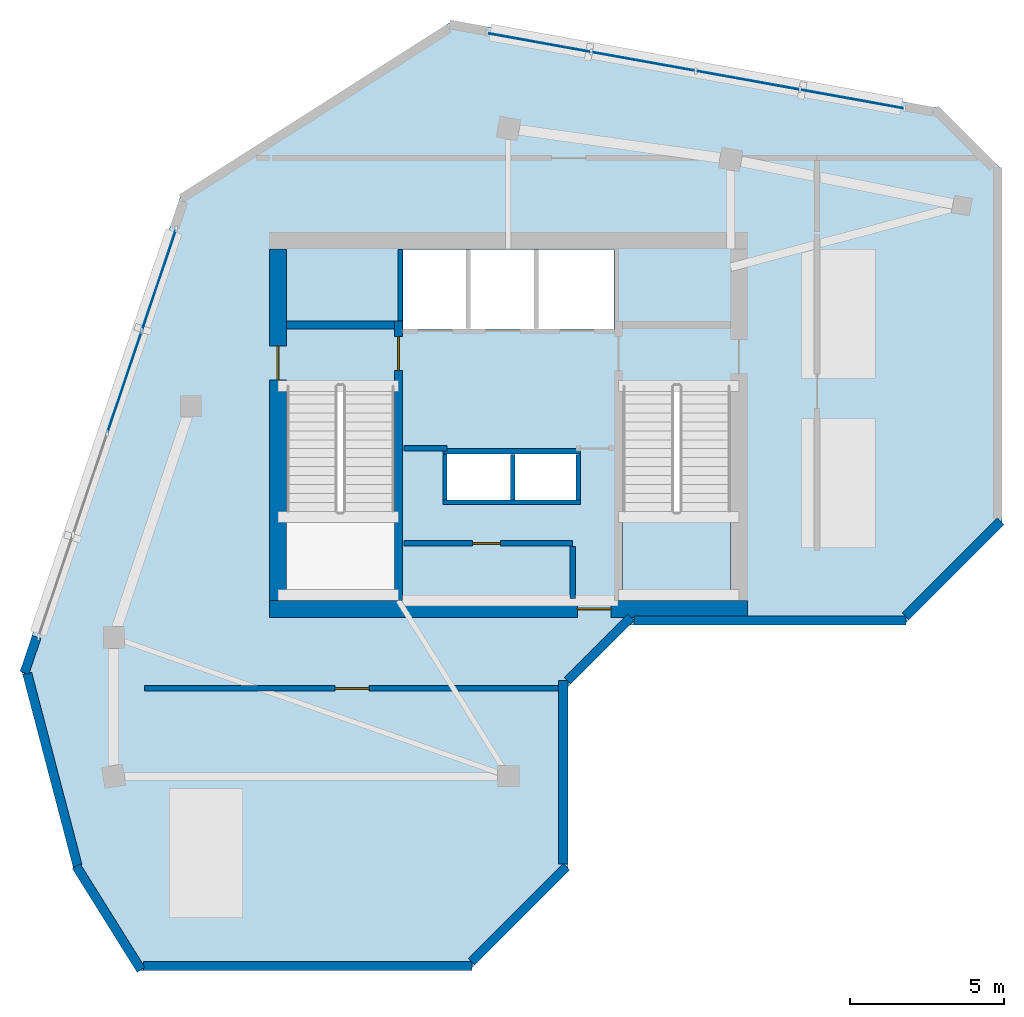
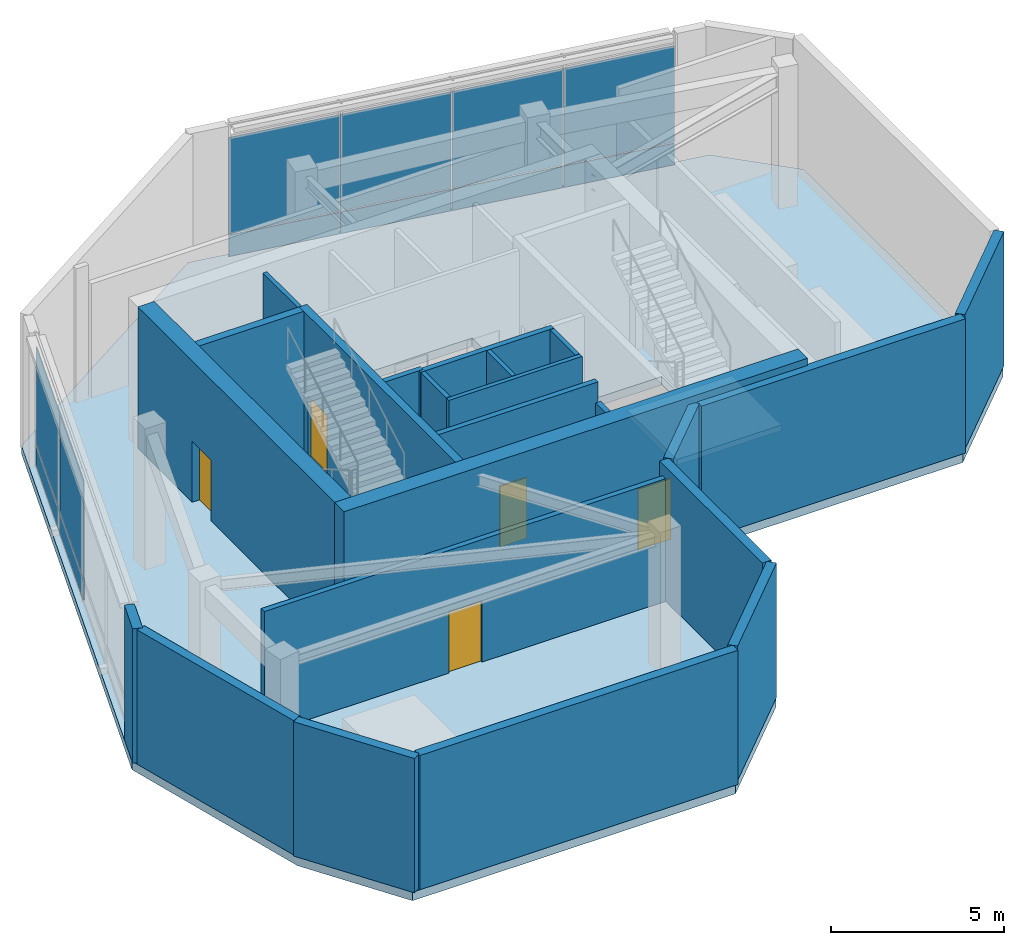
# One storey, part 2 of 4: 23 walls, 12 plates, 5 doors, 2 slabs, 5 openings, 3 elements without a shape of their own.
"""IFC4 building model written with IfcOpenShell, lengths in metres."""

from ifc_helpers import new_model, si_unit, direction, frame, frame_2d, origin, place, context, subcontext, project, spatial, polyline, rectangle, outline, extrude, source, transform, mapped, material, layer, layer_set, type_object, element, fill, aggregate, save


model = new_model("IFC4")

# Units and contexts
model_context = context("Model", 3, precision=1e-05, world=origin(), true_north=direction((0.0, 1.0)))
body_context = subcontext(model_context, "Body", "Model", "MODEL_VIEW")
ifc_project = project(units=[si_unit("LENGTHUNIT", "METRE"), si_unit("AREAUNIT", "SQUARE_METRE"), si_unit("VOLUMEUNIT", "CUBIC_METRE"), si_unit("PLANEANGLEUNIT", "RADIAN"), si_unit("MASSUNIT", "GRAM", prefix="KILO")], contexts=[model_context])

# Site, building, storey
site_placement = place(None, origin())
site = spatial("IfcSite", under=ifc_project, at=site_placement, CompositionType="ELEMENT")
building_placement = place(site_placement, origin())
building = spatial("IfcBuilding", under=site, at=building_placement, Name="Calvemar Wedge Station Tower", CompositionType="ELEMENT")
storey_placement = place(building_placement, frame((0.0, 0.0, 304.5)))
storey = spatial("IfcBuildingStorey", under=building, at=storey_placement, Name="L78", CompositionType="ELEMENT", Elevation=304.5)

# Curtain wall, plates
ifc_material_1 = material(Name="Anodised aluminium 6063-T6", Category="aluminium")
curtain_wall_type = type_object("IfcCurtainWallType", Name="CW4", PredefinedType="NOTDEFINED", material=ifc_material_1)
curtain_wall_1_placement = place(storey_placement, origin())
curtain_wall_1 = element("IfcCurtainWall", 1, at=curtain_wall_1_placement, inside=storey, type_object=curtain_wall_type, Name="Storey L78 CW4 Recessed Unitised Curtain Wall 10", PredefinedType="NOTDEFINED")
ifc_material_2 = material(Name="Low-E laminated insulated glass", Category="glass")
ifc_layer_1 = layer(ifc_material_2, 0.028076171875)
ifc_layer_set_1 = layer_set([ifc_layer_1], Name="Low-E laminated insulated glass")
plate_type_1 = type_object("IfcPlateType", Name="CW4-GLZ", PredefinedType="CURTAIN_PANEL", material=ifc_layer_set_1)
plate_1_placement = place(storey_placement, frame((36.6162109375, 50.152099609375, 0.8701171875), z_axis=(0.0, 0.0, 1.0), x_axis=(-0.984145507683, 0.177362960359, 0.0)))
plate_1 = element("IfcPlate", 2, at=plate_1_placement, type_object=plate_type_1, Name="CW4 vision glass panel 1", PredefinedType="CURTAIN_PANEL", context=body_context, shape_type="SweptSolid", body=[
    extrude(rectangle(XDim=3.4013671875, YDim=0.028076171875, at=frame_2d((1.70068359375, 0.0))), origin(), (0.0, 0.0, 1.0), 3.409912109375),
])
plate_2_placement = place(storey_placement, frame((33.2333984375, 50.76171875, 0.8701171875), z_axis=(0.0, 0.0, 1.0), x_axis=(-0.984143249485, 0.177375490115, 0.0)))
plate_2 = element("IfcPlate", 3, at=plate_2_placement, type_object=plate_type_1, Name="CW4 vision glass panel 2", PredefinedType="CURTAIN_PANEL", context=body_context, shape_type="SweptSolid", body=[
    extrude(rectangle(XDim=3.401123046875, YDim=0.028076171875, at=frame_2d((1.70068359375, 0.0))), origin(), (0.0, 0.0, 1.0), 3.409912109375),
])
plate_3_placement = place(storey_placement, frame((29.850830078125, 51.37158203125, 0.8701171875), z_axis=(0.0, 0.0, 1.0), x_axis=(-0.984145507683, 0.177362960359, 0.0)))
plate_3 = element("IfcPlate", 4, at=plate_3_placement, type_object=plate_type_1, Name="CW4 vision glass panel 3", PredefinedType="CURTAIN_PANEL", context=body_context, shape_type="SweptSolid", body=[
    extrude(rectangle(XDim=3.4013671875, YDim=0.028076171875, at=frame_2d((1.70068359375, 0.0))), origin(), (0.0, 0.0, 1.0), 3.409912109375),
])
plate_4_placement = place(storey_placement, frame((26.468017578125, 51.981201171875, 0.8701171875), z_axis=(0.0, 0.0, 1.0), x_axis=(-0.984132976502, 0.177432478879, 0.0)))
plate_4 = element("IfcPlate", 5, at=plate_4_placement, type_object=plate_type_1, Name="CW4 vision glass panel 4", PredefinedType="CURTAIN_PANEL", context=body_context, shape_type="SweptSolid", body=[
    extrude(rectangle(XDim=3.4013671875, YDim=0.028076171875, at=frame_2d((1.70068359375, 0.0))), origin(), (0.0, 0.0, 1.0), 3.409912109375),
])

curtain_wall_2_placement = place(storey_placement, origin())
curtain_wall_2 = element("IfcCurtainWall", 6, at=curtain_wall_2_placement, inside=storey, type_object=curtain_wall_type, Name="Storey L78 CW4 Recessed Unitised Curtain Wall 12", PredefinedType="NOTDEFINED")
plate_5_placement = place(storey_placement, frame((13.0244140625, 46.223388671875, 0.8701171875), z_axis=(0.0, 0.0, 1.0), x_axis=(-0.319937325338, -0.947438709287, 0.0)))
plate_5 = element("IfcPlate", 7, at=plate_5_placement, type_object=plate_type_1, Name="CW4 vision glass panel 1", PredefinedType="CURTAIN_PANEL", context=body_context, shape_type="SweptSolid", body=[
    extrude(rectangle(XDim=3.452880859375, YDim=0.028076171875, at=frame_2d((1.7265625, 0.0))), origin(), (0.0, 0.0, 1.0), 3.409912109375),
])
plate_6_placement = place(storey_placement, frame((11.908203125, 42.917724609375, 0.8701171875), z_axis=(0.0, 0.0, 1.0), x_axis=(-0.319915894708, -0.947445945853, 0.0)))
plate_6 = element("IfcPlate", 8, at=plate_6_placement, type_object=plate_type_1, Name="CW4 vision glass panel 2", PredefinedType="CURTAIN_PANEL", context=body_context, shape_type="SweptSolid", body=[
    extrude(rectangle(XDim=3.453125, YDim=0.028076171875, at=frame_2d((1.7265625, 0.0))), origin(), (0.0, 0.0, 1.0), 3.409912109375),
])

# Plate
ifc_material_3 = material(Name="Oxidized bronze aluminium spandrel panel 5005-H24", Category="aluminium")
ifc_layer_2 = layer(ifc_material_3, 0.0400390625)
ifc_layer_set_2 = layer_set([ifc_layer_2], Name="Oxidized bronze aluminium spandrel panel 5005-H24")
plate_type_2 = type_object("IfcPlateType", Name="CW4-SPD", PredefinedType="SHEET", material=ifc_layer_set_2)
plate_7_placement = place(storey_placement, frame((36.6162109375, 50.152099609375, 0.080078125), z_axis=(0.0, 0.0, 1.0), x_axis=(-0.984145507683, 0.177362960359, 0.0)))
plate_7 = element("IfcPlate", 9, at=plate_7_placement, type_object=plate_type_2, Name="CW4 bronze spandrel panel 1", PredefinedType="SHEET", context=body_context, shape_type="SweptSolid", body=[
    extrude(rectangle(XDim=3.4013671875, YDim=0.0400390625, at=frame_2d((1.70068359375, 0.0))), origin(), (0.0, 0.0, 1.0), 0.75),
])

plate_8_placement = place(storey_placement, frame((33.2333984375, 50.76171875, 0.080078125), z_axis=(0.0, 0.0, 1.0), x_axis=(-0.984143249485, 0.177375490115, 0.0)))
plate_8 = element("IfcPlate", 10, at=plate_8_placement, type_object=plate_type_2, Name="CW4 bronze spandrel panel 2", PredefinedType="SHEET", context=body_context, shape_type="SweptSolid", body=[
    extrude(rectangle(XDim=3.401123046875, YDim=0.0400390625, at=frame_2d((1.70068359375, 0.0))), origin(), (0.0, 0.0, 1.0), 0.75),
])

plate_9_placement = place(storey_placement, frame((29.850830078125, 51.37158203125, 0.080078125), z_axis=(0.0, 0.0, 1.0), x_axis=(-0.984145507683, 0.177362960359, 0.0)))
plate_9 = element("IfcPlate", 11, at=plate_9_placement, type_object=plate_type_2, Name="CW4 bronze spandrel panel 3", PredefinedType="SHEET", context=body_context, shape_type="SweptSolid", body=[
    extrude(rectangle(XDim=3.4013671875, YDim=0.0400390625, at=frame_2d((1.70068359375, 0.0))), origin(), (0.0, 0.0, 1.0), 0.75),
])

plate_10_placement = place(storey_placement, frame((26.468017578125, 51.981201171875, 0.080078125), z_axis=(0.0, 0.0, 1.0), x_axis=(-0.984132976502, 0.177432478879, 0.0)))
plate_10 = element("IfcPlate", 12, at=plate_10_placement, type_object=plate_type_2, Name="CW4 bronze spandrel panel 4", PredefinedType="SHEET", context=body_context, shape_type="SweptSolid", body=[
    extrude(rectangle(XDim=3.4013671875, YDim=0.0400390625, at=frame_2d((1.70068359375, 0.0))), origin(), (0.0, 0.0, 1.0), 0.75),
])

aggregate(curtain_wall_1, [plate_7, plate_1, plate_8, plate_2, plate_9, plate_3, plate_10, plate_4])

plate_11_placement = place(storey_placement, frame((13.0244140625, 46.223388671875, 0.080078125), z_axis=(0.0, 0.0, 1.0), x_axis=(-0.319937325338, -0.947438709287, 0.0)))
plate_11 = element("IfcPlate", 13, at=plate_11_placement, type_object=plate_type_2, Name="CW4 bronze spandrel panel 1", PredefinedType="SHEET", context=body_context, shape_type="SweptSolid", body=[
    extrude(rectangle(XDim=3.452880859375, YDim=0.0400390625, at=frame_2d((1.7265625, 0.0))), origin(), (0.0, 0.0, 1.0), 0.75),
])

plate_12_placement = place(storey_placement, frame((11.908203125, 42.917724609375, 0.080078125), z_axis=(0.0, 0.0, 1.0), x_axis=(-0.319915894708, -0.947445945853, 0.0)))
plate_12 = element("IfcPlate", 14, at=plate_12_placement, type_object=plate_type_2, Name="CW4 bronze spandrel panel 2", PredefinedType="SHEET", context=body_context, shape_type="SweptSolid", body=[
    extrude(rectangle(XDim=3.453125, YDim=0.0400390625, at=frame_2d((1.7265625, 0.0))), origin(), (0.0, 0.0, 1.0), 0.75),
])

aggregate(curtain_wall_2, [plate_11, plate_5, plate_12, plate_6])

# Slab
ifc_material_4 = material(Name="Concrete C50", Category="concrete")
ifc_layer_3 = layer(ifc_material_4, 0.300048828125)
ifc_layer_set_3 = layer_set([ifc_layer_3], Name="Concrete C50")
slab_type_1 = type_object("IfcSlabType", Name="SL-REF-300", PredefinedType="FLOOR", material=ifc_layer_set_3)
slab_1_placement = place(storey_placement, frame((0.0, 0.0, -0.300048828125)))
element("IfcSlab", 15, at=slab_1_placement, inside=storey, type_object=slab_type_1, Name="Storey L78 Structural Floor Slab", PredefinedType="FLOOR", context=body_context, shape_type="SweptSolid", body=[
    extrude(outline(polyline([(8.0, 32.0), (9.72802734375, 25.39990234375), (11.72802734375, 22.199951171875), (22.528076171875, 22.199951171875), (25.72802734375, 25.39990234375), (25.72802734375, 31.39990234375), (27.72802734375, 33.39990234375), (36.60009765625, 33.39990234375), (39.800048828125, 36.60009765625), (39.800048828125, 48.152099609375), (37.800048828125, 50.152099609375), (22.0, 53.0), (13.199951171875, 47.39990234375), (8.0, 32.0)]), holes=[polyline([(20.10009765625, 34.199951171875), (20.10009765625, 41.14990234375), (16.60009765625, 41.14990234375), (16.60009765625, 34.199951171875), (20.10009765625, 34.199951171875)]), polyline([(31.0, 34.199951171875), (31.0, 41.14990234375), (27.5, 41.14990234375), (27.5, 34.199951171875), (31.0, 34.199951171875)]), polyline([(23.929931640625, 38.949951171875), (21.7900390625, 38.949951171875), (21.7900390625, 37.449951171875), (23.929931640625, 37.449951171875), (23.93994140625, 37.449951171875), (26.080078125, 37.449951171875), (26.080078125, 38.949951171875), (23.93994140625, 38.949951171875), (23.929931640625, 38.949951171875)]), polyline([(27.219970703125, 43.0), (27.219970703125, 45.580078125), (20.3798828125, 45.580078125), (20.3798828125, 43.0), (27.219970703125, 43.0)])]), origin(), (0.0, 0.0, 1.0), 0.300048828125),
])

# Stair, slab
ifc_material_5 = material(Name="Concrete C45", Category="concrete")
stair_type = type_object("IfcStairType", Name="ST-TYPE-5000", PredefinedType="HALF_TURN_STAIR", material=ifc_material_5)
stair_placement = place(storey_placement, origin())
stair = element("IfcStair", 16, at=stair_placement, inside=storey, type_object=stair_type, Name="L78 Pressurized Core Exit Stair ST-C2", PredefinedType="HALF_TURN_STAIR")
ifc_layer_4 = layer(ifc_material_5, 0.199951171875)
ifc_layer_set_4 = layer_set([ifc_layer_4], Name="Concrete C45")
slab_type_2 = type_object("IfcSlabType", Name="SL-STAIR-LND-200", PredefinedType="LANDING", material=ifc_layer_set_4)
slab_2_placement = place(storey_placement, frame((0.0, 0.0, 2.300048828125)))
slab_2 = element("IfcSlab", 17, at=slab_2_placement, type_object=slab_type_2, Name="ST-C2 landing 1", PredefinedType="LANDING", context=body_context, shape_type="SweptSolid", body=[
    extrude(outline(polyline([(27.5, 37.090087890625), (27.5, 34.199951171875), (31.0, 34.199951171875), (31.0, 37.090087890625), (27.5, 37.090087890625)])), origin(), (0.0, 0.0, 1.0), 0.199951171875),
])
aggregate(stair, [slab_2])

# Wall, opening, door
ifc_layer_5 = layer(ifc_material_4, 0.260009765625)
ifc_layer_set_5 = layer_set([ifc_layer_5], Name="Concrete C50")
wall_type_1 = type_object("IfcWallType", Name="SW-CORE-260", PredefinedType="SHEAR", material=ifc_layer_set_5)
wall_1_placement = place(storey_placement, frame((20.22998046875, 34.199951171875, 0.0), z_axis=(0.0, 0.0, 1.0), x_axis=(0.0, 1.0, 0.0)))
wall_1 = element("IfcWall", 18, at=wall_1_placement, inside=storey, type_object=wall_type_1, Name="Storey L78 Core Shear Wall SPINE-W", PredefinedType="SHEAR", context=body_context, shape_type="SweptSolid", body=[
    extrude(rectangle(XDim=9.06005859375, YDim=0.260009765625, at=frame_2d((4.530029296875, 0.0))), origin(), (0.0, 0.0, 1.0), 5.0),
])
shared_shape_1 = source(origin(), body_context, "Body", "SweptSolid", [
    extrude(rectangle(XDim=1.10009765625, YDim=2.14990234375, at=frame_2d((0.550048828125, 1.074951171875))), frame((0.0, 0.14013671875, 0.0), z_axis=(0.0, -1.0, 0.0), x_axis=(1.0, 0.0, 0.0)), (0.0, 0.0, 1.0), 0.280029296875),
])
opening_1_placement = place(wall_1_placement, frame((7.449951171875, 0.0, 0.0)))
opening_1 = element("IfcOpeningElement", 19, at=opening_1_placement, cuts=wall_1, Name="Opening FD-90", PredefinedType="OPENING", context=body_context, shape_type="MappedRepresentation", body=[
    mapped(shared_shape_1, transform((0.0, 0.0, 0.0), scale=1.0)),
])
ifc_material_6 = material(Name="Galvanized fire-rated steel door leaf P-90", Category="steel")
door_type_1 = type_object("IfcDoorType", Name="DR-FD90-1100", OperationType="NOTDEFINED", PredefinedType="DOOR", material=ifc_material_6)
shared_shape_2 = source(origin(), body_context, "Body", "SweptSolid", [
    extrude(rectangle(XDim=1.10009765625, YDim=2.14990234375, at=frame_2d((0.550048828125, 1.074951171875))), frame((0.0, 0.02490234375, 0.0), z_axis=(0.0, -1.0, 0.0), x_axis=(1.0, 0.0, 0.0)), (0.0, 0.0, 1.0), 0.050048828125),
])
door_1_placement = place(opening_1_placement, origin())
door_1 = element("IfcDoor", 20, at=door_1_placement, inside=storey, type_object=door_type_1, Name="L78 FF Lobby to Stair ST-C1 Door", OperationType="SINGLE_SWING_LEFT", OverallHeight=2.14990234375, OverallWidth=1.10009765625, PredefinedType="DOOR", context=body_context, shape_type="MappedRepresentation", body=[
    mapped(shared_shape_2, transform((0.0, 0.0, 0.0), scale=1.0)),
])
fill(opening_1, door_1)

# Wall
wall_2_placement = place(storey_placement, frame((16.60009765625, 43.1298828125, 0.0), z_axis=(0.0, 0.0, 1.0), x_axis=(1.0, 0.0, 0.0)))
element("IfcWall", 21, at=wall_2_placement, inside=storey, type_object=wall_type_1, Name="Storey L78 Core Shear Wall STC1-N", PredefinedType="SHEAR", context=body_context, shape_type="SweptSolid", body=[
    extrude(rectangle(XDim=3.5, YDim=0.260009765625, at=frame_2d((1.75, 0.0))), origin(), (0.0, 0.0, 1.0), 5.0),
])

# Wall, opening, door
ifc_material_7 = material(Name="Concrete C60", Category="concrete")
ifc_layer_6 = layer(ifc_material_7, 0.550048828125)
ifc_layer_set_6 = layer_set([ifc_layer_6], Name="Concrete C60")
wall_type_2 = type_object("IfcWallType", Name="SW-CORE-550", PredefinedType="SHEAR", material=ifc_layer_set_6)
wall_3_placement = place(storey_placement, frame((16.050048828125, 33.925048828125, 0.0), z_axis=(0.0, 0.0, 1.0), x_axis=(1.0, 0.0, 0.0)))
wall_3 = element("IfcWall", 22, at=wall_3_placement, inside=storey, type_object=wall_type_2, Name="Storey L78 Core Shear Wall S", PredefinedType="SHEAR", context=body_context, shape_type="SweptSolid", body=[
    extrude(rectangle(XDim=15.5, YDim=0.550048828125, at=frame_2d((7.75, 0.0))), origin(), (0.0, 0.0, 1.0), 5.0),
])
shared_shape_3 = source(origin(), body_context, "Body", "SweptSolid", [
    extrude(rectangle(XDim=1.10009765625, YDim=2.14990234375, at=frame_2d((0.550048828125, 1.074951171875))), frame((0.0, 0.28515625, 0.0), z_axis=(0.0, -1.0, 0.0), x_axis=(1.0, 0.0, 0.0)), (0.0, 0.0, 1.0), 0.570068359375),
])
opening_2_placement = place(wall_3_placement, frame((9.97998046875, 0.0, 0.0)))
opening_2 = element("IfcOpeningElement", 23, at=opening_2_placement, cuts=wall_3, Name="Opening FD-90", PredefinedType="OPENING", context=body_context, shape_type="MappedRepresentation", body=[
    mapped(shared_shape_3, transform((0.0, 0.0, 0.0), scale=1.0)),
])
door_2_placement = place(opening_2_placement, origin())
door_2 = element("IfcDoor", 24, at=door_2_placement, inside=storey, type_object=door_type_1, Name="L78 Passenger Lift Lobby Door", OperationType="SINGLE_SWING_LEFT", OverallHeight=2.14990234375, OverallWidth=1.10009765625, PredefinedType="DOOR", context=body_context, shape_type="MappedRepresentation", body=[
    mapped(shared_shape_2, transform((0.0, 0.0, 0.0), scale=1.0)),
])
fill(opening_2, door_2)

wall_4_placement = place(storey_placement, frame((16.324951171875, 34.199951171875, 0.0), z_axis=(0.0, 0.0, 1.0), x_axis=(0.0, 1.0, 0.0)))
wall_4 = element("IfcWall", 25, at=wall_4_placement, inside=storey, type_object=wall_type_2, Name="Storey L78 Core Shear Wall W", PredefinedType="SHEAR", context=body_context, shape_type="SweptSolid", body=[
    extrude(rectangle(XDim=11.400146484375, YDim=0.550048828125, at=frame_2d((5.7001953125, 0.0))), origin(), (0.0, 0.0, 1.0), 5.0),
])
opening_3_placement = place(wall_4_placement, frame((7.14990234375, 0.0, 0.0)))
opening_3 = element("IfcOpeningElement", 26, at=opening_3_placement, cuts=wall_4, Name="Opening FD-90", PredefinedType="OPENING", context=body_context, shape_type="MappedRepresentation", body=[
    mapped(shared_shape_3, transform((0.0, 0.0, 0.0), scale=1.0)),
])
door_3_placement = place(opening_3_placement, origin())
door_3 = element("IfcDoor", 27, at=door_3_placement, inside=storey, type_object=door_type_1, Name="L78 West Corridor to Exit Stair ST-C1 Door", OperationType="SINGLE_SWING_LEFT", OverallHeight=2.14990234375, OverallWidth=1.10009765625, PredefinedType="DOOR", context=body_context, shape_type="MappedRepresentation", body=[
    mapped(shared_shape_2, transform((0.0, 0.0, 0.0), scale=1.0)),
])
fill(opening_3, door_3)

# Wall
ifc_material_8 = material(Name="Double-stud fire-rated corridor partition")
ifc_layer_7 = layer(ifc_material_8, 0.179931640625)
ifc_layer_set_7 = layer_set([ifc_layer_7], Name="Double-stud fire-rated corridor partition")
wall_type_3 = type_object("IfcWallType", Name="W-CORR-180", PredefinedType="PARTITIONING", material=ifc_layer_set_7)
wall_5_placement = place(storey_placement, frame((21.81005859375, 39.1298828125, 0.0), z_axis=(0.0, 0.0, 1.0), x_axis=(-1.0, 0.0, 0.0)))
element("IfcWall", 28, at=wall_5_placement, inside=storey, type_object=wall_type_3, Name="Storey L78 Interior Partition WL-L78-001", PredefinedType="PARTITIONING", context=body_context, shape_type="SweptSolid", body=[
    extrude(rectangle(XDim=1.39013671875, YDim=0.179931640625, at=frame_2d((0.695068359375, 0.0))), origin(), (0.0, 0.0, 1.0), 4.75),
])

# Wall, opening, door
wall_6_placement = place(storey_placement, frame((20.419921875, 36.050048828125, 0.0), z_axis=(0.0, 0.0, 1.0), x_axis=(1.0, 0.0, 0.0)))
wall_6 = element("IfcWall", 29, at=wall_6_placement, inside=storey, type_object=wall_type_3, Name="Storey L78 Interior Partition WL-L78-003", PredefinedType="PARTITIONING", context=body_context, shape_type="SweptSolid", body=[
    extrude(rectangle(XDim=5.4599609375, YDim=0.179931640625, at=frame_2d((2.72998046875, 0.0))), origin(), (0.0, 0.0, 1.0), 4.75),
])
shared_shape_4 = source(origin(), body_context, "Body", "SweptSolid", [
    extrude(rectangle(XDim=0.89990234375, YDim=2.14990234375, at=frame_2d((0.449951171875, 1.074951171875))), frame((0.0, 0.10009765625, 0.0), z_axis=(0.0, -1.0, 0.0), x_axis=(1.0, 0.0, 0.0)), (0.0, 0.0, 1.0), 0.199951171875),
])
opening_4_placement = place(wall_6_placement, frame((2.219482421875, 0.0, 0.0)))
opening_4 = element("IfcOpeningElement", 30, at=opening_4_placement, cuts=wall_6, Name="Opening FD-60", PredefinedType="OPENING", context=body_context, shape_type="MappedRepresentation", body=[
    mapped(shared_shape_4, transform((0.0, 0.0, 0.0), scale=1.0)),
])
ifc_material_9 = material(Name="Fire-rated acoustic timber-core entrance door EI 60", Category="wood")
door_type_2 = type_object("IfcDoorType", Name="DR-FD60-900", OperationType="NOTDEFINED", PredefinedType="DOOR", material=ifc_material_9)
shared_shape_5 = source(origin(), body_context, "Body", "SweptSolid", [
    extrude(rectangle(XDim=0.89990234375, YDim=2.14990234375, at=frame_2d((0.449951171875, 1.074951171875))), frame((0.0, 0.02490234375, 0.0), z_axis=(0.0, -1.0, 0.0), x_axis=(1.0, 0.0, 0.0)), (0.0, 0.0, 1.0), 0.050048828125),
])
door_4_placement = place(opening_4_placement, origin())
door_4 = element("IfcDoor", 31, at=door_4_placement, inside=storey, type_object=door_type_2, Name="L78 Wine and Parcel Store Door", OperationType="SINGLE_SWING_LEFT", OverallHeight=2.14990234375, OverallWidth=0.89990234375, PredefinedType="DOOR", context=body_context, shape_type="MappedRepresentation", body=[
    mapped(shared_shape_5, transform((0.0, 0.0, 0.0), scale=1.0)),
])
fill(opening_4, door_4)

# Wall
wall_7_placement = place(storey_placement, frame((25.8798828125, 35.9560546875, 0.0), z_axis=(0.0, 0.0, 1.0), x_axis=(0.0, -1.0, 0.0)))
element("IfcWall", 32, at=wall_7_placement, inside=storey, type_object=wall_type_3, Name="Storey L78 Interior Partition WL-L78-004", PredefinedType="PARTITIONING", context=body_context, shape_type="SweptSolid", body=[
    extrude(rectangle(XDim=1.68603515625, YDim=0.179931640625, at=frame_2d((0.843017578125, 0.0))), origin(), (0.0, 0.0, 1.0), 4.0419921875),
])

# Wall, opening, door
wall_8_placement = place(storey_placement, frame((25.462890625, 31.35009765625, 0.0), z_axis=(0.0, 0.0, 1.0), x_axis=(-1.0, 0.0, 0.0)))
wall_8 = element("IfcWall", 33, at=wall_8_placement, inside=storey, type_object=wall_type_3, Name="Storey L78 Interior Partition WL-L78-005", PredefinedType="PARTITIONING", context=body_context, shape_type="SweptSolid", body=[
    extrude(rectangle(XDim=13.462890625, YDim=0.179931640625, at=frame_2d((6.7314453125, 0.0))), origin(), (0.0, 0.0, 1.0), 4.3349609375),
])
shared_shape_6 = source(origin(), body_context, "Body", "SweptSolid", [
    extrude(rectangle(XDim=1.10009765625, YDim=2.14990234375, at=frame_2d((0.550048828125, 1.074951171875))), frame((0.0, 0.10009765625, 0.0), z_axis=(0.0, -1.0, 0.0), x_axis=(1.0, 0.0, 0.0)), (0.0, 0.0, 1.0), 0.199951171875),
])
opening_5_placement = place(wall_8_placement, frame((6.181396484375, 0.0, 0.0)))
opening_5 = element("IfcOpeningElement", 34, at=opening_5_placement, cuts=wall_8, Name="Opening FD-90", PredefinedType="OPENING", context=body_context, shape_type="MappedRepresentation", body=[
    mapped(shared_shape_6, transform((0.0, 0.0, 0.0), scale=1.0)),
])
door_5_placement = place(opening_5_placement, origin())
door_5 = element("IfcDoor", 35, at=door_5_placement, inside=storey, type_object=door_type_1, Name="L78 High-Rise Lift Machine Room Door", OperationType="SINGLE_SWING_LEFT", OverallHeight=2.14990234375, OverallWidth=1.10009765625, PredefinedType="DOOR", context=body_context, shape_type="MappedRepresentation", body=[
    mapped(shared_shape_2, transform((0.0, 0.0, 0.0), scale=1.0)),
])
fill(opening_5, door_5)

# Walls
ifc_material_10 = material(Name="Precast concrete C45", Category="concrete")
ifc_layer_8 = layer(ifc_material_10, 0.300048828125)
ifc_layer_set_8 = layer_set([ifc_layer_8], Name="Precast concrete C45")
wall_type_4 = type_object("IfcWallType", Name="W-EXT-GFRC-300", PredefinedType="SOLIDWALL", material=ifc_layer_set_8)
wall_9_placement = place(storey_placement, frame((9.787841796875, 25.58740234375, 0.0), z_axis=(0.0, 0.0, 1.0), x_axis=(0.529993408835, -0.84800176096, 0.0)))
element("IfcWall", 36, at=wall_9_placement, inside=storey, type_object=wall_type_4, Name="Storey L78 Bronze GFRC Exterior Wall 1", PredefinedType="SOLIDWALL", context=body_context, shape_type="SweptSolid", body=[
    extrude(rectangle(XDim=3.967529296875, YDim=0.300048828125, at=frame_2d((1.98388671875, 0.0))), origin(), (0.0, 0.0, 1.0), 4.75),
])
wall_10_placement = place(storey_placement, frame((11.973876953125, 22.35009765625, 0.0), z_axis=(0.0, 0.0, 1.0), x_axis=(1.0, 0.0, 0.0)))
element("IfcWall", 37, at=wall_10_placement, inside=storey, type_object=wall_type_4, Name="Storey L78 Bronze GFRC Exterior Wall 2", PredefinedType="SOLIDWALL", context=body_context, shape_type="SweptSolid", body=[
    extrude(rectangle(XDim=10.64208984375, YDim=0.300048828125, at=frame_2d((5.321044921875, 0.0))), origin(), (0.0, 0.0, 1.0), 4.75),
])
wall_11_placement = place(storey_placement, frame((22.60400390625, 22.488037109375, 0.0), z_axis=(0.0, 0.0, 1.0), x_axis=(0.707106781187, 0.707106781187, 0.0)))
element("IfcWall", 38, at=wall_11_placement, inside=storey, type_object=wall_type_4, Name="Storey L78 Bronze GFRC Exterior Wall 3", PredefinedType="SOLIDWALL", context=body_context, shape_type="SweptSolid", body=[
    extrude(rectangle(XDim=4.35595703125, YDim=0.300048828125, at=frame_2d((2.177978515625, 0.0))), origin(), (0.0, 0.0, 1.0), 4.75),
])
wall_12_placement = place(storey_placement, frame((25.577880859375, 25.6572265625, 0.0), z_axis=(0.0, 0.0, 1.0), x_axis=(0.0, 1.0, 0.0)))
element("IfcWall", 39, at=wall_12_placement, inside=storey, type_object=wall_type_4, Name="Storey L78 Bronze GFRC Exterior Wall 4", PredefinedType="SOLIDWALL", context=body_context, shape_type="SweptSolid", body=[
    extrude(rectangle(XDim=5.954833984375, YDim=0.300048828125, at=frame_2d((2.9775390625, 0.0))), origin(), (0.0, 0.0, 1.0), 4.75),
])
wall_13_placement = place(storey_placement, frame((25.716064453125, 31.60009765625, 0.0), z_axis=(0.0, 0.0, 1.0), x_axis=(0.707106781187, 0.707106781187, 0.0)))
element("IfcWall", 40, at=wall_13_placement, inside=storey, type_object=wall_type_4, Name="Storey L78 Bronze GFRC Exterior Wall 5", PredefinedType="SOLIDWALL", context=body_context, shape_type="SweptSolid", body=[
    extrude(rectangle(XDim=2.907470703125, YDim=0.300048828125, at=frame_2d((1.45361328125, 0.0))), origin(), (0.0, 0.0, 1.0), 4.75),
])
wall_14_placement = place(storey_placement, frame((27.861083984375, 33.550048828125, 0.0), z_axis=(0.0, 0.0, 1.0), x_axis=(1.0, 0.0, 0.0)))
element("IfcWall", 41, at=wall_14_placement, inside=storey, type_object=wall_type_4, Name="Storey L78 Bronze GFRC Exterior Wall 6", PredefinedType="SOLIDWALL", context=body_context, shape_type="SweptSolid", body=[
    extrude(rectangle(XDim=8.826904296875, YDim=0.300048828125, at=frame_2d((4.41357421875, 0.0))), origin(), (0.0, 0.0, 1.0), 4.75),
])
wall_15_placement = place(storey_placement, frame((36.67578125, 33.68798828125, 0.0), z_axis=(0.0, 0.0, 1.0), x_axis=(0.707106781187, 0.707106781187, 0.0)))
element("IfcWall", 42, at=wall_15_placement, inside=storey, type_object=wall_type_4, Name="Storey L78 Bronze GFRC Exterior Wall 7", PredefinedType="SOLIDWALL", context=body_context, shape_type="SweptSolid", body=[
    extrude(rectangle(XDim=4.356201171875, YDim=0.300048828125, at=frame_2d((2.17822265625, 0.0))), origin(), (0.0, 0.0, 1.0), 4.75),
])
wall_16_placement = place(storey_placement, frame((8.501953125, 33.017822265625, 0.0), z_axis=(0.0, 0.0, 1.0), x_axis=(-0.319916718913, -0.94744566755, 0.0)))
element("IfcWall", 43, at=wall_16_placement, inside=storey, type_object=wall_type_4, Name="Storey L78 Bronze GFRC Corner Pier 12B", PredefinedType="SOLIDWALL", context=body_context, shape_type="SweptSolid", body=[
    extrude(rectangle(XDim=1.230224609375, YDim=0.300048828125, at=frame_2d((0.615234375, 0.0))), origin(), (0.0, 0.0, 1.0), 4.75),
])
wall_17_placement = place(storey_placement, frame((8.1982421875, 31.834716796875, 0.0), z_axis=(0.0, 0.0, 1.0), x_axis=(0.253314657045, -0.96738393853, 0.0)))
element("IfcWall", 44, at=wall_17_placement, inside=storey, type_object=wall_type_4, Name="Storey L78 Bronze GFRC Exterior Wall 13", PredefinedType="SOLIDWALL", context=body_context, shape_type="SweptSolid", body=[
    extrude(rectangle(XDim=6.44482421875, YDim=0.300048828125, at=frame_2d((3.222412109375, 0.0))), origin(), (0.0, 0.0, 1.0), 4.75),
])
ifc_material_11 = material(Name="Reinforced concrete blockwork lift shaft wall", Category="masonry")
ifc_layer_9 = layer(ifc_material_11, 0.139892578125)
ifc_layer_set_9 = layer_set([ifc_layer_9], Name="Reinforced concrete blockwork lift shaft wall")
wall_type_5 = type_object("IfcWallType", Name="W-LIFT-160", PredefinedType="SOLIDWALL", material=ifc_layer_set_9)
wall_18_placement = place(storey_placement, frame((20.2900390625, 43.280029296875, 0.0), z_axis=(0.0, 0.0, 1.0), x_axis=(0.0, 1.0, 0.0)))
element("IfcWall", 45, at=wall_18_placement, inside=storey, type_object=wall_type_5, Name="Storey L78 Firefighting Lift Shaft Enclosure Wall W", PredefinedType="SOLIDWALL", context=body_context, shape_type="SweptSolid", body=[
    extrude(rectangle(XDim=2.300048828125, YDim=0.139892578125, at=frame_2d((1.14990234375, 0.0))), origin(), (0.0, 0.0, 1.0), 4.75),
])
wall_19_placement = place(storey_placement, frame((21.669921875, 37.3798828125, 0.0), z_axis=(0.0, 0.0, 1.0), x_axis=(1.0, 0.0, 0.0)))
element("IfcWall", 46, at=wall_19_placement, inside=storey, type_object=wall_type_5, Name="Storey L78 Upper Passenger Lift Bank Front Wall", PredefinedType="SOLIDWALL", context=body_context, shape_type="SweptSolid", body=[
    extrude(rectangle(XDim=4.4599609375, YDim=0.139892578125, at=frame_2d((2.22998046875, 0.0))), origin(), (0.0, 0.0, 1.0), 4.75),
])
for number, where, z_axis, x_axis, name in (
    (47, (26.06005859375, 37.4599609375, 0.0), (0.0, 0.0, 1.0), (0.0, 1.0, 0.0), "Storey L78 Upper Passenger Lift Shaft Wall E"),
    (48, (21.739990234375, 37.4599609375, 0.0), (0.0, 0.0, 1.0), (0.0, 1.0, 0.0), "Storey L78 Upper Passenger Lift Shaft Wall W"),
    (49, (23.93505859375, 37.4599609375, 0.0), (0.0, 0.0, 1.0), (0.0, 1.0, 0.0), "Storey L78 Upper Passenger Lift Shaft Wall D1"),
):
    element("IfcWall", number, at=place(storey_placement, frame(where, z_axis=z_axis, x_axis=x_axis)), inside=storey, type_object=wall_type_5, Name=name, PredefinedType="SOLIDWALL", context=body_context, shape_type="SweptSolid", body=[
        extrude(rectangle(XDim=1.47998046875, YDim=0.139892578125, at=frame_2d((0.739990234375, 0.0))), origin(), (0.0, 0.0, 1.0), 4.75),
    ])
ifc_material_12 = material(Name="Concrete blockwork and fireboard shaft wall", Category="masonry")
ifc_layer_10 = layer(ifc_material_12, 0.199951171875)
ifc_layer_set_10 = layer_set([ifc_layer_10], Name="Concrete blockwork and fireboard shaft wall")
wall_type_6 = type_object("IfcWallType", Name="W-SHAFT-200", PredefinedType="SOLIDWALL", material=ifc_layer_set_10)
wall_20_placement = place(storey_placement, frame((21.669921875, 39.0400390625, 0.0), z_axis=(0.0, 0.0, 1.0), x_axis=(1.0, 0.0, 0.0)))
element("IfcWall", 50, at=wall_20_placement, inside=storey, type_object=wall_type_6, Name="Storey L78 Upper Passenger Lift Bank Rear Shaft Wall", PredefinedType="SOLIDWALL", context=body_context, shape_type="SweptSolid", body=[
    extrude(rectangle(XDim=4.4599609375, YDim=0.179931640625, at=frame_2d((2.22998046875, 0.0))), origin(), (0.0, 0.0, 1.0), 4.75),
])

save(model, "model.ifc")
